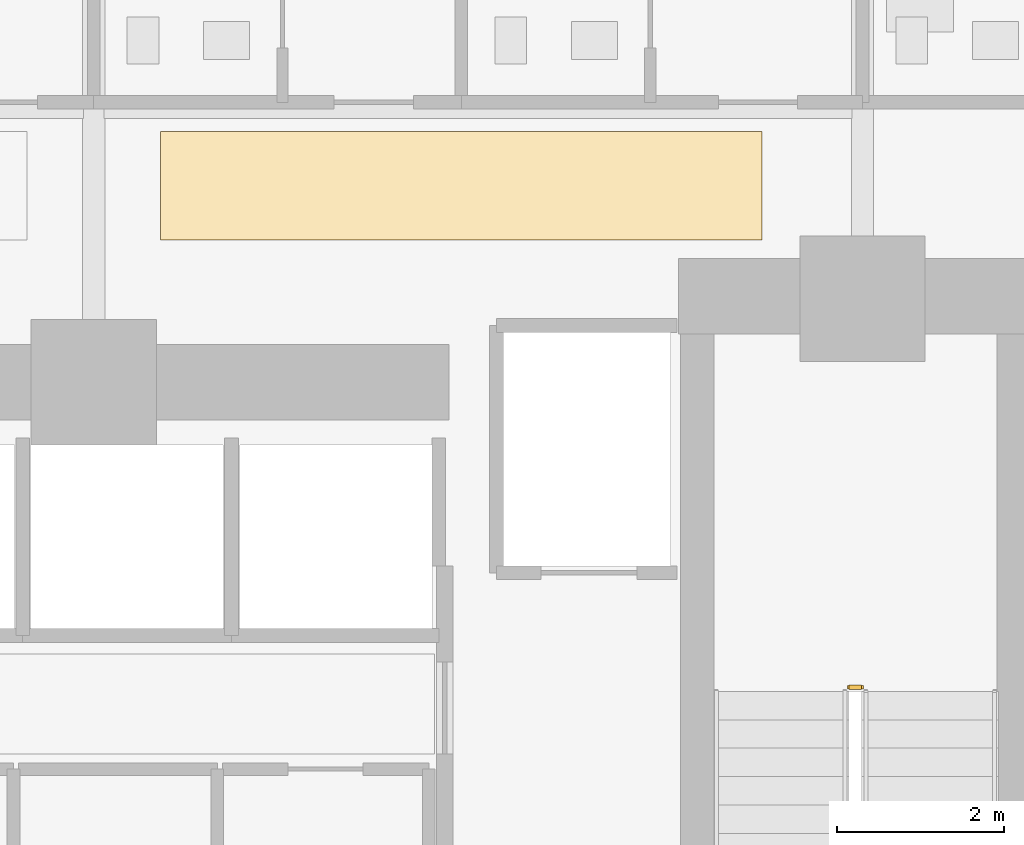
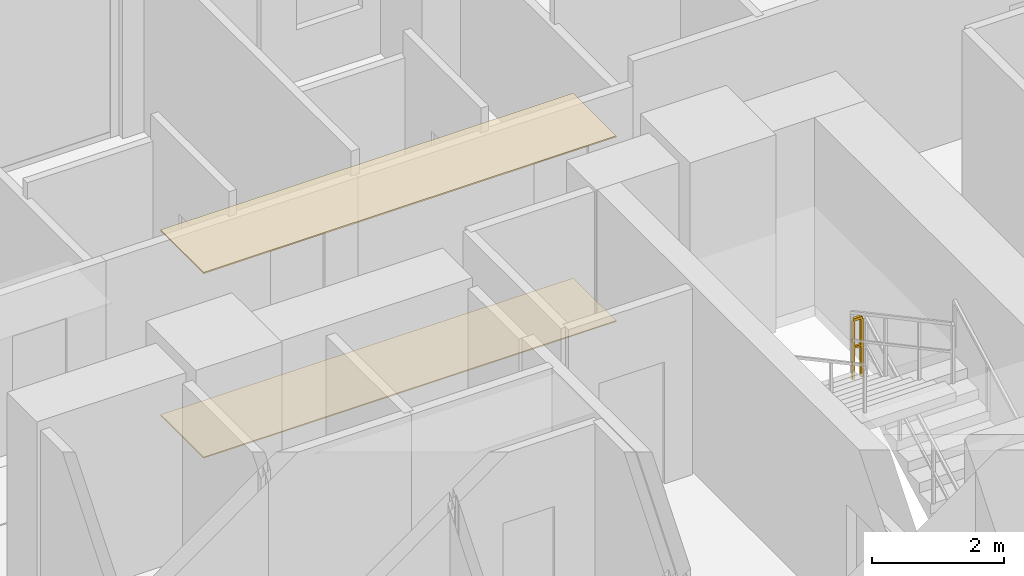
# One storey, part 28 of 29: 2 coverings, 1 railing.
"""IFC4 building model written with IfcOpenShell, lengths in metres."""

from ifc_helpers import new_model, si_unit, direction, frame, origin, origin_2d, place, context, subcontext, project, spatial, polyline, rectangle, outline, extrude, material, layer, layer_set, type_object, element, save


model = new_model("IFC4")

# Units and contexts
model_context = context("Model", 3, precision=1e-05, world=origin(), true_north=direction((0.0, 1.0)))
body_context = subcontext(model_context, "Body", "Model", "MODEL_VIEW")
ifc_project = project(units=[si_unit("LENGTHUNIT", "METRE"), si_unit("AREAUNIT", "SQUARE_METRE"), si_unit("VOLUMEUNIT", "CUBIC_METRE"), si_unit("PLANEANGLEUNIT", "RADIAN"), si_unit("MASSUNIT", "GRAM", prefix="KILO")], contexts=[model_context])

# Site, building, storey
site_placement = place(None, origin())
site = spatial("IfcSite", under=ifc_project, at=site_placement, CompositionType="ELEMENT")
building_placement = place(site_placement, origin())
building = spatial("IfcBuilding", under=site, at=building_placement, Name="Zuhayl Quay Hotel", CompositionType="ELEMENT")
storey_placement = place(building_placement, frame((0.0, 0.0, 67.75)))
storey = spatial("IfcBuildingStorey", under=building, at=storey_placement, Name="L16", CompositionType="ELEMENT", Elevation=67.75)

# Coverings
ifc_material_1 = material(Name="Acoustic Mineral-Fibre Gypsum Board")
ifc_layer_1 = layer(ifc_material_1, 0.02490234375, Name="Acoustic Mineral-Fibre Gypsum Board")
ifc_layer_set_1 = layer_set([ifc_layer_1], Name="Acoustic Mineral-Fibre Gypsum Board")
covering_type_1 = type_object("IfcCoveringType", Name="CV_CEIL_ACOUSTIC", PredefinedType="CEILING", material=ifc_layer_set_1)
covering_1_placement = place(storey_placement, frame((0.0, 0.0, 3.405029296875)))
element("IfcCovering", 1, at=covering_1_placement, inside=storey, type_object=covering_type_1, Name="L16 Guest Corridor Acoustic Ceiling CE", PredefinedType="CEILING", context=body_context, shape_type="SweptSolid", body=[
    extrude(outline(polyline([(5.39990234375, 15.050048828125), (12.60009765625, 15.050048828125), (12.60009765625, 16.35009765625), (5.39990234375, 16.35009765625), (5.39990234375, 15.050048828125)])), origin(), (0.0, 0.0, 1.0), 0.02490234375),
])
ifc_material_2 = material(Name="Polished Limestone Terrazzo", Category="masonry")
ifc_layer_2 = layer(ifc_material_2, 0.02001953125, Name="Polished Limestone Terrazzo", Category="masonry")
ifc_layer_set_2 = layer_set([ifc_layer_2], Name="Polished Limestone Terrazzo")
covering_type_2 = type_object("IfcCoveringType", Name="CV_FLOOR_TERRAZZO", PredefinedType="FLOORING", material=ifc_layer_set_2)
covering_2_placement = place(storey_placement, origin())
element("IfcCovering", 2, at=covering_2_placement, inside=storey, type_object=covering_type_2, Name="L16 Guest Corridor Terrazzo Runner CE", PredefinedType="FLOORING", context=body_context, shape_type="SweptSolid", body=[
    extrude(outline(polyline([(5.39990234375, 15.050048828125), (12.60009765625, 15.050048828125), (12.60009765625, 16.35009765625), (5.39990234375, 16.35009765625), (5.39990234375, 15.050048828125)])), origin(), (0.0, 0.0, 1.0), 0.02001953125),
])

# Railing
ifc_material_3 = material(Name="Steel ASTM A992 Grade 50", Category="steel")
railing_type = type_object("IfcRailingType", Name="RL_GUARD_1100", PredefinedType="GUARDRAIL", material=ifc_material_3)
railing_placement = place(storey_placement, frame((13.7900390625, 9.699951171875, 1.824951171875)))
element("IfcRailing", 3, at=railing_placement, inside=storey, type_object=railing_type, Name="L16 ST2 stair guard 2", PredefinedType="GUARDRAIL", context=body_context, shape_type="SweptSolid", body=[
    extrude(rectangle(XDim=0.048095703125, YDim=0.048095703125, at=origin_2d()), frame((0.0, 0.0, 1.09619140625), z_axis=(-1.0, 0.0, 0.0), x_axis=(0.0, -1.0, 0.0)), (0.0, 0.0, 1.0), 0.150146484375),
    extrude(rectangle(XDim=0.0361328125, YDim=0.0361328125, at=origin_2d()), frame((0.0, 0.0, 0.58251953125), z_axis=(-1.0, 0.0, 0.0), x_axis=(0.0, -1.0, 0.0)), (0.0, 0.0, 1.0), 0.150146484375),
    extrude(rectangle(XDim=0.0419921875, YDim=0.0419921875, at=origin_2d()), origin(), (0.0, 0.0, 1.0), 1.072021484375),
    extrude(rectangle(XDim=0.0419921875, YDim=0.0419921875, at=origin_2d()), frame((-0.150146484375, 0.0, 0.0)), (0.0, 0.0, 1.0), 1.072021484375),
])

save(model, "model.ifc")
